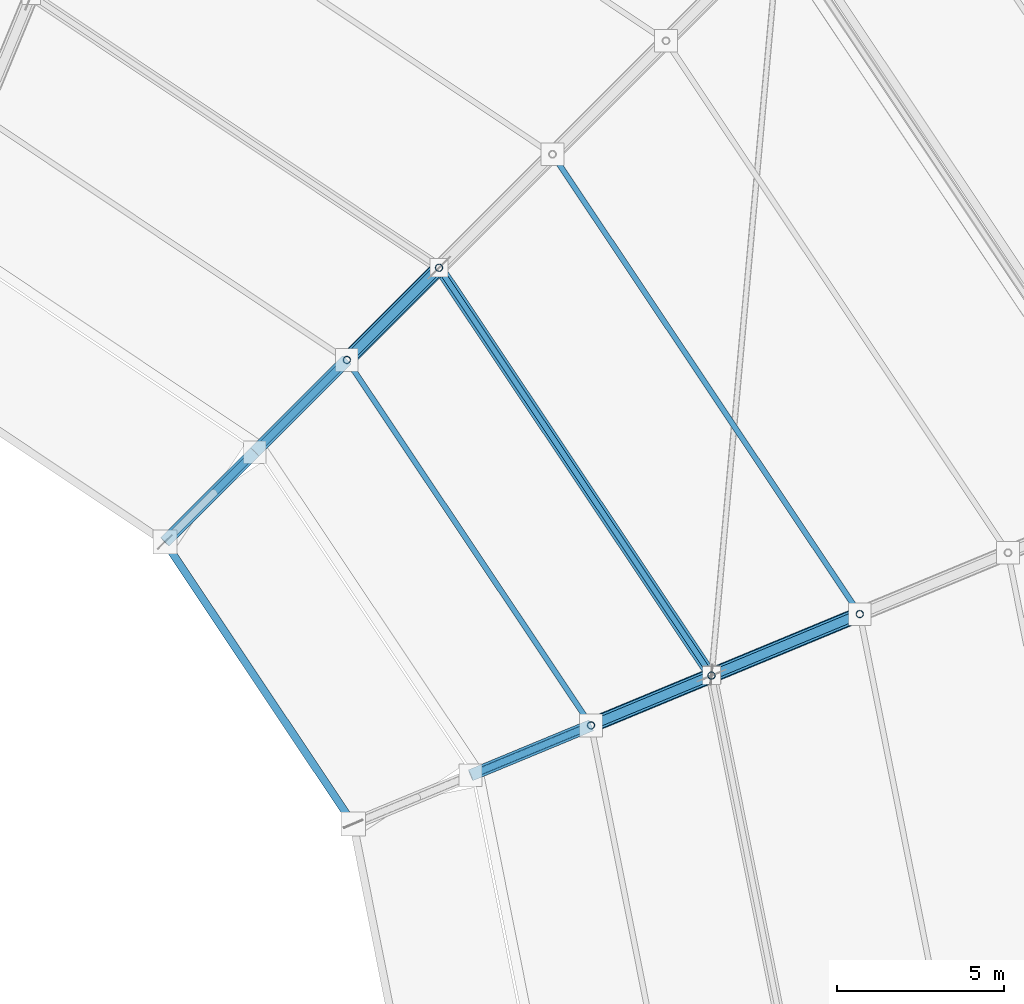
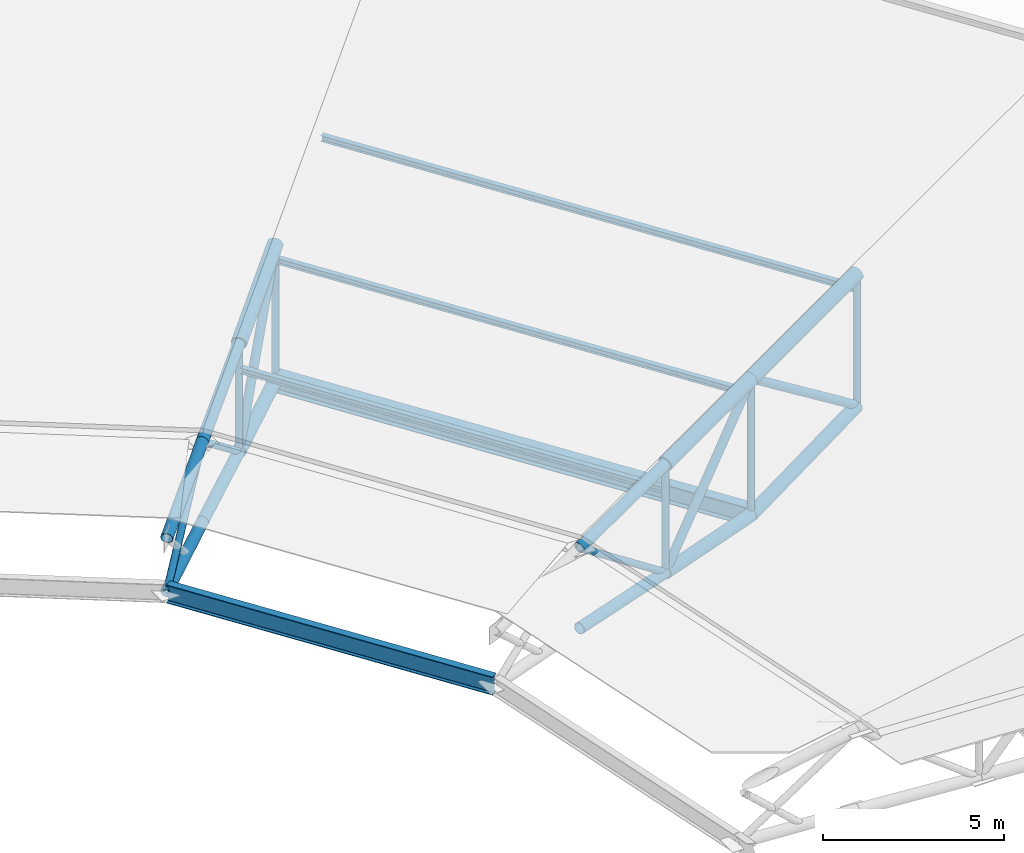
# One storey, part 81 of 146: 26 members, 2 beams.
"""IFC4 building model written with IfcOpenShell, lengths in metres."""

import ifcopenshell
import ifcopenshell.guid

model = None  # the IFC model being written
_history = None  # IfcOwnerHistory: only IFC2X3 demands one
_inside = {}  # id of a spatial element -> (the spatial element, [elements in it])
_under = {}  # id of a project, library or spatial element -> (it, [spatial elements below it])
_declared = {}  # id of a project -> (the project, [libraries it declares])
_typed = {}  # id of a type object -> (the type object, [elements of that type])
_made_of = {}  # id of a material, layer set ... -> (it, [elements and type objects made of it])


def new_model(schema):
    """Start an empty IFC model of exactly this schema.

    Asked for "IFC4X3", IfcOpenShell would pick the latest addendum, in which some entities
    have other attributes; the version numbers below select the first issue.
    IFC2X3 requires an IfcOwnerHistory on every rooted entity: one is made here for all.
    """
    global model, _history
    if schema == "IFC4X3":
        model = ifcopenshell.file(schema_version=(4, 3, 0, 0))
    else:
        model = ifcopenshell.file(schema=schema)
    _inside.clear()
    _under.clear()
    _declared.clear()
    _typed.clear()
    _made_of.clear()
    _history = None
    if model.schema == "IFC2X3":
        org = make("IfcOrganization", Name="unknown")
        user = make(
            "IfcPersonAndOrganization",
            ThePerson=make("IfcPerson", FamilyName="unknown"),
            TheOrganization=org,
        )
        app = make(
            "IfcApplication",
            ApplicationDeveloper=org,
            Version="unknown",
            ApplicationFullName="unknown",
            ApplicationIdentifier="unknown",
        )
        _history = make(
            "IfcOwnerHistory",
            OwningUser=user,
            OwningApplication=app,
            ChangeAction="ADDED",
            CreationDate=0,
        )
    return model


def make(cls, **values):
    """One entity of the class cls with the attributes given. An attribute that is None is left unset."""
    return model.create_entity(
        cls, **{name: value for name, value in values.items() if value is not None}
    )


def rooted(cls, **values):
    """An entity with a GlobalId (a new one), such as an element, a storey or a relation."""
    return make(cls, GlobalId=ifcopenshell.guid.new(), OwnerHistory=_history, **values)


def si_unit(unit_type, name, prefix=None):
    """IfcSIUnit, for example si_unit("LENGTHUNIT", "METRE", prefix="MILLI")."""
    return make("IfcSIUnit", UnitType=unit_type, Prefix=prefix, Name=name)


def assignment(units):
    """IfcUnitAssignment: the units of a project."""
    return None if units is None else make("IfcUnitAssignment", Units=units)


def point(xyz):
    """IfcCartesianPoint."""
    return None if xyz is None else make("IfcCartesianPoint", Coordinates=xyz)


def direction(xyz):
    """IfcDirection."""
    return None if xyz is None else make("IfcDirection", DirectionRatios=xyz)


def frame(location, z_axis=None, x_axis=None):
    """IfcAxis2Placement3D, a coordinate frame: its origin and axes. An axis left out is left unset."""
    return make(
        "IfcAxis2Placement3D",
        Location=point(location),
        Axis=direction(z_axis),
        RefDirection=direction(x_axis),
    )


def frame_2d(location, x_axis=None):
    """IfcAxis2Placement2D, a coordinate frame in the plane: its origin and x axis."""
    return make(
        "IfcAxis2Placement2D", Location=point(location), RefDirection=direction(x_axis)
    )


def origin():
    """The frame at (0, 0, 0) with its axes left unset."""
    return frame((0.0, 0.0, 0.0))


def origin_2d():
    """The frame at (0, 0) in the plane with its x axis left unset."""
    return frame_2d((0.0, 0.0))


def place(relative_to, where):
    """IfcLocalPlacement: puts the frame where relative to a parent placement (None: the world)."""
    return make(
        "IfcLocalPlacement", PlacementRelTo=relative_to, RelativePlacement=where
    )


def context(
    kind, dimensions, precision=None, world=None, true_north=None, identifier=None
):
    """IfcGeometricRepresentationContext, for example the 3D "Model" context."""
    return make(
        "IfcGeometricRepresentationContext",
        ContextIdentifier=identifier,
        ContextType=kind,
        CoordinateSpaceDimension=dimensions,
        Precision=precision,
        WorldCoordinateSystem=world,
        TrueNorth=true_north,
    )


def subcontext(parent, identifier, kind, view, scale=None):
    """IfcGeometricRepresentationSubContext, for example "Body" below "Model"."""
    return make(
        "IfcGeometricRepresentationSubContext",
        ContextIdentifier=identifier,
        ContextType=kind,
        ParentContext=parent,
        TargetScale=scale,
        TargetView=view,
    )


def project(units=None, contexts=None):
    """IfcProject with its units and contexts."""
    return rooted(
        "IfcProject",
        Name="project",
        RepresentationContexts=contexts,
        UnitsInContext=assignment(units),
    )


def spatial(cls, under=None, at=None, **own):
    """A site, building, storey or space (cls), placed at a placement, below another one or the project."""
    s = rooted(cls, ObjectPlacement=at, **own)
    if under is not None:
        _under.setdefault(under.id(), (under, []))[1].append(s)
    return s


def profile(cls, at=None, kind="AREA", **sizes):
    """A parametric profile (cls). Its sizes go by their IFC names, for example OverallWidth=200.0."""
    return make(cls, ProfileType=kind, Position=at, **sizes)


def hollow_circle(**sizes):
    """IfcCircleHollowProfileDef."""
    return profile("IfcCircleHollowProfileDef", **sizes)


def i_section(**sizes):
    """IfcIShapeProfileDef."""
    return profile("IfcIShapeProfileDef", **sizes)


def extrude(swept, where, along, depth):
    """IfcExtrudedAreaSolid: the profile swept, set in the frame where, extruded along a direction by depth."""
    return make(
        "IfcExtrudedAreaSolid",
        SweptArea=swept,
        Position=where,
        ExtrudedDirection=direction(along),
        Depth=depth,
    )


def shape(context_of_items, identifier, shape_type, items):
    """IfcShapeRepresentation: the items that make up one representation, for example the "Body"."""
    return make(
        "IfcShapeRepresentation",
        ContextOfItems=context_of_items,
        RepresentationIdentifier=identifier,
        RepresentationType=shape_type,
        Items=items,
    )


def material(Name=None, Category=None):
    """IfcMaterial."""
    return make("IfcMaterial", Name=Name, Category=Category)


def material_profile(
    of_material, cross_section, Name=None, Category=None, Priority=None
):
    """IfcMaterialProfile: a cross section and its material."""
    return make(
        "IfcMaterialProfile",
        Name=Name,
        Material=of_material,
        Profile=cross_section,
        Priority=Priority,
        Category=Category,
    )


def profile_set(profiles, Name=None, composite=None):
    """IfcMaterialProfileSet."""
    return make(
        "IfcMaterialProfileSet",
        Name=Name,
        MaterialProfiles=profiles,
        CompositeProfile=composite,
    )


def made_of(thing, what):
    """Note that an element or type object is made of a material, layer set ...; save() writes the relation."""
    if what is not None:
        _made_of.setdefault(what.id(), (what, []))[1].append(thing)
    return thing


def type_object(cls, material=None, **own):
    """A type object (cls), such as IfcWallType, which elements share."""
    return made_of(rooted(cls, **own), material)


def element(
    cls,
    number,
    at=None,
    inside=None,
    cuts=None,
    type_object=None,
    material=None,
    context=None,
    identifier="Body",
    shape_type=None,
    held_by="IfcProductDefinitionShape",
    body=None,
    shapes=None,
    **own,
):
    """One element of the class cls, such as IfcWall. Its Tag is "e" and its number.

    at: its placement. inside: the storey or other place that contains it. cuts: it is an
    opening in that element (IfcRelVoidsElement). A single representation is given by context,
    identifier, shape_type and body (its items); several are given by shapes. held_by: the class
    of the entity that holds the representations. save() writes the other relations.
    """
    e = rooted(cls, Tag="e%d" % number, ObjectPlacement=at, **own)
    if body is not None:
        shapes = [shape(context, identifier, shape_type, body)]
    if shapes is not None:
        e.Representation = make(held_by, Representations=shapes)
    if inside is not None:
        _inside.setdefault(inside.id(), (inside, []))[1].append(e)
    if cuts is not None:
        rooted(
            "IfcRelVoidsElement", RelatingBuildingElement=cuts, RelatedOpeningElement=e
        )
    if type_object is not None:
        _typed.setdefault(type_object.id(), (type_object, []))[1].append(e)
    return made_of(e, material)


def aggregate(whole, parts):
    """IfcRelAggregates: a whole, such as a stair, and the parts it consists of."""
    return rooted("IfcRelAggregates", RelatingObject=whole, RelatedObjects=parts)


def save(model, path):
    """Write the relations noted so far, then the file.

    IfcRelAggregates (storeys below a building ...), IfcRelContainedInSpatialStructure (elements
    in a storey), IfcRelDefinesByType, IfcRelAssociatesMaterial and IfcRelDeclares: one each for
    every whole, place, type object, material and project.
    """
    for whole, parts in _under.values():
        aggregate(whole, parts)
    for where, things in _inside.values():
        rooted(
            "IfcRelContainedInSpatialStructure",
            RelatedElements=things,
            RelatingStructure=where,
        )
    for kind, things in _typed.values():
        rooted("IfcRelDefinesByType", RelatedObjects=things, RelatingType=kind)
    for what, things in _made_of.values():
        rooted("IfcRelAssociatesMaterial", RelatedObjects=things, RelatingMaterial=what)
    for by, libraries in _declared.values():
        rooted("IfcRelDeclares", RelatingContext=by, RelatedDefinitions=libraries)
    model.write(path)


model = new_model("IFC4")

# Units and contexts
model_context = context("Model", 3, precision=1e-05, world=origin(), true_north=direction((0.0, 1.0)))
body_context = subcontext(model_context, "Body", "Model", "MODEL_VIEW")
ifc_project = project(units=[si_unit("LENGTHUNIT", "METRE"), si_unit("AREAUNIT", "SQUARE_METRE"), si_unit("VOLUMEUNIT", "CUBIC_METRE"), si_unit("PLANEANGLEUNIT", "RADIAN"), si_unit("MASSUNIT", "GRAM", prefix="KILO")], contexts=[model_context])

# Site, building, storey
site_placement = place(None, origin())
site = spatial("IfcSite", under=ifc_project, at=site_placement, CompositionType="ELEMENT")
building_placement = place(site_placement, origin())
building = spatial("IfcBuilding", under=site, at=building_placement, Name="Candeia Ridge Stadium", CompositionType="ELEMENT")
storey_placement = place(building_placement, frame((0.0, 0.0, 31.800048828125)))
storey = spatial("IfcBuildingStorey", under=building, at=storey_placement, Name="RF", CompositionType="ELEMENT", Elevation=31.800048828125)

# Beams
ifc_material = material(Name="Steel ASTM A572 Grade 50", Category="steel")
ifc_material_profile_1 = material_profile(ifc_material, i_section(OverallWidth=0.324951171875, OverallDepth=0.615966796875, WebThickness=0.013916015625, FlangeThickness=0.021484375, FilletRadius=0.014892578125, at=origin_2d()), Name="W610x174", Category="steel")
ifc_profile_set_1 = profile_set([ifc_material_profile_1], Name="Steel ASTM A572 Grade 50")
beam_type_1 = type_object("IfcBeamType", Name="Roof Compression Ring Beam W610x174", PredefinedType="BEAM", material=ifc_profile_set_1)
beam_1_placement = place(storey_placement, frame((175.715576171875, 109.422119140625, -2.6640625), z_axis=(-0.555568695933, 0.831470639349, 0.0), x_axis=(-0.831470639349, -0.555568695933, 0.0)))
element("IfcBeam", 1, at=beam_1_placement, inside=storey, type_object=beam_type_1, Name="Roof compression ring beam bay 34", PredefinedType="BEAM", context=body_context, shape_type="SweptSolid", body=[
    extrude(i_section(OverallWidth=0.324951171875, OverallDepth=0.615966796875, WebThickness=0.013916015625, FlangeThickness=0.021484375, FilletRadius=0.014892578125, at=origin_2d()), origin(), (0.0, 0.0, 1.0), 14.5908203125),
])
ifc_material_profile_2 = material_profile(ifc_material, i_section(OverallWidth=0.22998046875, OverallDepth=0.616943359375, WebThickness=0.01318359375, FlangeThickness=0.022216796875, FilletRadius=0.014892578125, at=origin_2d()), Name="W610x140", Category="steel")
ifc_profile_set_2 = profile_set([ifc_material_profile_2], Name="Steel ASTM A572 Grade 50")
beam_type_2 = type_object("IfcBeamType", Name="Roof Inner Tension Ring Beam W610x140", PredefinedType="BEAM", material=ifc_profile_set_2)
beam_2_placement = place(storey_placement, frame((164.99853515625, 104.98291015625, -1.9599609375), z_axis=(-0.555556358418, 0.831478882847, 0.0), x_axis=(-0.831478882847, -0.555556358418, 0.0)))
element("IfcBeam", 2, at=beam_2_placement, inside=storey, type_object=beam_type_2, Name="Roof inner tension ring beam bay 34", PredefinedType="BEAM", context=body_context, shape_type="SweptSolid", body=[
    extrude(i_section(OverallWidth=0.22998046875, OverallDepth=0.616943359375, WebThickness=0.01318359375, FlangeThickness=0.022216796875, FilletRadius=0.014892578125, at=origin_2d()), origin(), (0.0, 0.0, 1.0), 10.064697265625),
])

# Members
ifc_material_profile_3 = material_profile(ifc_material, i_section(OverallWidth=0.1650390625, OverallDepth=0.200927734375, WebThickness=0.006103515625, FlangeThickness=0.01025390625, FilletRadius=0.010009765625, at=origin_2d()), Name="W200x35.9", Category="steel")
ifc_profile_set_3 = profile_set([ifc_material_profile_3], Name="Steel ASTM A572 Grade 50")
member_type_1 = type_object("IfcMemberType", Name="Roof Purlin W200x35.9", PredefinedType="PURLIN", material=ifc_profile_set_3)
member_1_placement = place(storey_placement, frame((172.10693359375, 107.93798828125, 0.3544921875), z_axis=(-0.555576353042, 0.831465523002, 0.0), x_axis=(-0.831465523002, -0.555576353042, 0.0)))
element("IfcMember", 3, at=member_1_placement, inside=storey, type_object=member_type_1, Name="Saddle roof steel purlin bay 34-1", PredefinedType="PURLIN", context=body_context, shape_type="SweptSolid", body=[
    extrude(i_section(OverallWidth=0.1650390625, OverallDepth=0.200927734375, WebThickness=0.006103515625, FlangeThickness=0.01025390625, FilletRadius=0.010009765625, at=origin_2d()), origin(), (0.0, 0.0, 1.0), 13.049072265625),
])
member_2_placement = place(storey_placement, frame((175.710205078125, 109.430419921875, 1.416015625), z_axis=(-0.555573746016, 0.831467264983, 0.0), x_axis=(-0.831467264983, -0.555573746016, 0.0)))
element("IfcMember", 4, at=member_2_placement, inside=storey, type_object=member_type_1, Name="Saddle roof steel purlin bay 34-2", PredefinedType="PURLIN", context=body_context, shape_type="SweptSolid", body=[
    extrude(i_section(OverallWidth=0.1650390625, OverallDepth=0.200927734375, WebThickness=0.006103515625, FlangeThickness=0.01025390625, FilletRadius=0.010009765625, at=origin_2d()), origin(), (0.0, 0.0, 1.0), 14.57080078125),
])
member_3_placement = place(storey_placement, frame((180.144775390625, 111.267333984375, 2.303955078125), z_axis=(-0.555577006671, 0.831465086253, 0.0), x_axis=(-0.831465086253, -0.555577006671, 0.0)))
element("IfcMember", 5, at=member_3_placement, inside=storey, type_object=member_type_1, Name="Saddle roof steel purlin bay 34-3", PredefinedType="PURLIN", context=body_context, shape_type="SweptSolid", body=[
    extrude(i_section(OverallWidth=0.1650390625, OverallDepth=0.200927734375, WebThickness=0.006103515625, FlangeThickness=0.01025390625, FilletRadius=0.010009765625, at=origin_2d()), origin(), (0.0, 0.0, 1.0), 16.443603515625),
])
ifc_material_profile_4 = material_profile(ifc_material, hollow_circle(Radius=0.136474609375, WallThickness=0.010009765625, at=origin_2d()), Name="CHS273x10", Category="steel")
ifc_profile_set_4 = profile_set([ifc_material_profile_4], Name="Steel ASTM A572 Grade 50")
member_type_2 = type_object("IfcMemberType", Name="Roof Truss Heavy Web Brace CHS273x10", PredefinedType="BRACE", material=ifc_profile_set_4)
member_4_placement = place(storey_placement, frame((172.134765625, 107.896484375, -2.444091796875), z_axis=(0.61435865685, 0.254477196729, 0.746863305498), x_axis=(-0.382685369162, 0.923878730261, 0.0)))
element("IfcMember", 6, at=member_4_placement, inside=storey, type_object=member_type_2, Name="Roof cantilever truss RT-34 diagonal web 3", PredefinedType="BRACE", context=body_context, shape_type="SweptSolid", body=[
    extrude(hollow_circle(Radius=0.136474609375, WallThickness=0.010009765625, at=origin_2d()), origin(), (0.0, 0.0, 1.0), 5.86474609375),
])
member_5_placement = place(storey_placement, frame((175.73779296875, 109.388916015625, 1.93603515625), z_axis=(0.740679890153, 0.306791934683, -0.597722351211), x_axis=(-0.382675211785, 0.923882937544, 0.0)))
element("IfcMember", 7, at=member_5_placement, inside=storey, type_object=member_type_2, Name="Roof cantilever truss RT-34 diagonal web 4", PredefinedType="BRACE", context=body_context, shape_type="SweptSolid", body=[
    extrude(hollow_circle(Radius=0.136474609375, WallThickness=0.010009765625, at=origin_2d()), origin(), (0.0, 0.0, 1.0), 5.987548828125),
])
member_6_placement = place(storey_placement, frame((164.82958984375, 118.82958984375, -2.444091796875), z_axis=(0.470203340341, 0.470203340341, 0.746871901643), x_axis=(-0.707106781187, 0.707106781187, 0.0)))
element("IfcMember", 8, at=member_6_placement, inside=storey, type_object=member_type_2, Name="Roof cantilever truss RT-35 diagonal web 3", PredefinedType="BRACE", context=body_context, shape_type="SweptSolid", body=[
    extrude(hollow_circle(Radius=0.136474609375, WallThickness=0.010009765625, at=origin_2d()), origin(), (0.0, 0.0, 1.0), 5.86474609375),
])
ifc_material_profile_5 = material_profile(ifc_material, hollow_circle(Radius=0.109619140625, WallThickness=0.010009765625, at=origin_2d()), Name="CHS219x10", Category="steel")
ifc_profile_set_5 = profile_set([ifc_material_profile_5], Name="Steel ASTM A572 Grade 50")
member_type_3 = type_object("IfcMemberType", Name="Roof Truss Inner Web Brace CHS219x10", PredefinedType="BRACE", material=ifc_profile_set_5)
member_7_placement = place(storey_placement, frame((168.531494140625, 106.404052734375, 0.54296875), z_axis=(0.73347834193, 0.303797893097, -0.608043059388), x_axis=(-0.382663237128, 0.923887897394, 0.0)))
element("IfcMember", 9, at=member_7_placement, inside=storey, type_object=member_type_3, Name="Roof cantilever truss RT-34 diagonal web 2", PredefinedType="BRACE", context=body_context, shape_type="SweptSolid", body=[
    extrude(hollow_circle(Radius=0.109619140625, WallThickness=0.010009765625, at=origin_2d()), origin(), (0.0, 0.0, 1.0), 4.91259765625),
])
member_8_placement = place(storey_placement, frame((172.134765625, 107.896484375, -2.444091796875), z_axis=(0.0, 0.0, 1.0), x_axis=(1.0, 0.0, 0.0)))
element("IfcMember", 10, at=member_8_placement, inside=storey, type_object=member_type_3, Name="Roof cantilever truss RT-34 vertical post 2", PredefinedType="BRACE", context=body_context, shape_type="SweptSolid", body=[
    extrude(hollow_circle(Radius=0.109619140625, WallThickness=0.010009765625, at=origin_2d()), origin(), (0.0, 0.0, 1.0), 3.658447265625),
])
member_9_placement = place(storey_placement, frame((175.73779296875, 109.388916015625, -2.6640625), z_axis=(0.0, 0.0, 1.0), x_axis=(1.0, 0.0, 0.0)))
element("IfcMember", 11, at=member_9_placement, inside=storey, type_object=member_type_3, Name="Roof cantilever truss RT-34 vertical post 3", PredefinedType="BRACE", context=body_context, shape_type="SweptSolid", body=[
    extrude(hollow_circle(Radius=0.109619140625, WallThickness=0.010009765625, at=origin_2d()), origin(), (0.0, 0.0, 1.0), 4.60009765625),
])
member_10_placement = place(storey_placement, frame((180.172607421875, 111.225830078125, -1.642822265625), z_axis=(0.0, 0.0, 1.0), x_axis=(1.0, 0.0, 0.0)))
element("IfcMember", 12, at=member_10_placement, inside=storey, type_object=member_type_3, Name="Roof cantilever truss RT-34 vertical post 4", PredefinedType="BRACE", context=body_context, shape_type="SweptSolid", body=[
    extrude(hollow_circle(Radius=0.109619140625, WallThickness=0.010009765625, at=origin_2d()), origin(), (0.0, 0.0, 1.0), 4.466796875),
])
member_11_placement = place(storey_placement, frame((159.384765625, 113.384765625, -1.9599609375), z_axis=(0.590520351297, 0.590520351297, 0.550064931992), x_axis=(-0.707106781187, 0.707106781187, 0.0)))
element("IfcMember", 13, at=member_11_placement, inside=storey, type_object=member_type_3, Name="Roof cantilever truss RT-35 diagonal web 1", PredefinedType="BRACE", context=body_context, shape_type="SweptSolid", body=[
    extrude(hollow_circle(Radius=0.109619140625, WallThickness=0.010009765625, at=origin_2d()), origin(), (0.0, 0.0, 1.0), 4.55029296875),
])
member_12_placement = place(storey_placement, frame((162.07177734375, 116.07177734375, 0.54296875), z_axis=(0.561375904799, 0.561375904799, -0.608041270822), x_axis=(-0.707106781187, 0.707106781187, 0.0)))
element("IfcMember", 14, at=member_12_placement, inside=storey, type_object=member_type_3, Name="Roof cantilever truss RT-35 diagonal web 2", PredefinedType="BRACE", context=body_context, shape_type="SweptSolid", body=[
    extrude(hollow_circle(Radius=0.109619140625, WallThickness=0.010009765625, at=origin_2d()), origin(), (0.0, 0.0, 1.0), 4.91259765625),
])
member_13_placement = place(storey_placement, frame((164.82958984375, 118.82958984375, -2.444091796875), z_axis=(0.0, 0.0, 1.0), x_axis=(1.0, 0.0, 0.0)))
element("IfcMember", 15, at=member_13_placement, inside=storey, type_object=member_type_3, Name="Roof cantilever truss RT-35 vertical post 2", PredefinedType="BRACE", context=body_context, shape_type="SweptSolid", body=[
    extrude(hollow_circle(Radius=0.109619140625, WallThickness=0.010009765625, at=origin_2d()), origin(), (0.0, 0.0, 1.0), 3.658447265625),
])
member_14_placement = place(storey_placement, frame((167.587158203125, 121.587158203125, -2.6640625), z_axis=(0.0, 0.0, 1.0), x_axis=(1.0, 0.0, 0.0)))
element("IfcMember", 16, at=member_14_placement, inside=storey, type_object=member_type_3, Name="Roof cantilever truss RT-35 vertical post 3", PredefinedType="BRACE", context=body_context, shape_type="SweptSolid", body=[
    extrude(hollow_circle(Radius=0.109619140625, WallThickness=0.010009765625, at=origin_2d()), origin(), (0.0, 0.0, 1.0), 4.60009765625),
])
ifc_material_profile_6 = material_profile(ifc_material, hollow_circle(Radius=0.228515625, WallThickness=0.02001953125, at=origin_2d()), Name="CHS457x20", Category="steel")
ifc_profile_set_6 = profile_set([ifc_material_profile_6], Name="Steel ASTM A572 Grade 50")
member_type_4 = type_object("IfcMemberType", Name="Roof Truss Main Chord CHS457x20", PredefinedType="CHORD", material=ifc_profile_set_6)
member_15_placement = place(storey_placement, frame((172.134765625, 107.896484375, 1.21435546875), z_axis=(0.908455116829, 0.376296661416, 0.181961873245), x_axis=(-0.382685369162, 0.923878730261, 0.0)))
element("IfcMember", 17, at=member_15_placement, inside=storey, type_object=member_type_4, Name="Roof cantilever truss RT-34 top chord 3", PredefinedType="CHORD", context=body_context, shape_type="SweptSolid", body=[
    extrude(hollow_circle(Radius=0.228515625, WallThickness=0.02001953125, at=origin_2d()), origin(), (0.0, 0.0, 1.0), 3.966064453125),
])
member_16_placement = place(storey_placement, frame((175.73779296875, 109.388916015625, 1.93603515625), z_axis=(0.908470819314, 0.376291464053, 0.181894212488), x_axis=(-0.382675211785, 0.923882937544, 0.0)))
element("IfcMember", 18, at=member_16_placement, inside=storey, type_object=member_type_4, Name="Roof cantilever truss RT-34 top chord 4", PredefinedType="CHORD", context=body_context, shape_type="SweptSolid", body=[
    extrude(hollow_circle(Radius=0.228515625, WallThickness=0.02001953125, at=origin_2d()), origin(), (0.0, 0.0, 1.0), 4.881591796875),
])
member_17_placement = place(storey_placement, frame((164.82958984375, 118.82958984375, 1.21435546875), z_axis=(0.695301449045, 0.695301449045, 0.181966452712), x_axis=(-0.707106781187, 0.707106781187, 0.0)))
element("IfcMember", 19, at=member_17_placement, inside=storey, type_object=member_type_4, Name="Roof cantilever truss RT-35 top chord 3", PredefinedType="CHORD", context=body_context, shape_type="SweptSolid", body=[
    extrude(hollow_circle(Radius=0.228515625, WallThickness=0.02001953125, at=origin_2d()), origin(), (0.0, 0.0, 1.0), 3.966064453125),
])
ifc_material_profile_7 = material_profile(ifc_material, hollow_circle(Radius=0.202880859375, WallThickness=0.01611328125, at=origin_2d()), Name="CHS406x16", Category="steel")
ifc_profile_set_7 = profile_set([ifc_material_profile_7], Name="Steel ASTM A572 Grade 50")
member_type_5 = type_object("IfcMemberType", Name="Roof Truss Outer Chord CHS406x16", PredefinedType="CHORD", material=ifc_profile_set_7)
member_18_placement = place(storey_placement, frame((172.134765625, 107.896484375, -2.444091796875), z_axis=(0.922412592682, 0.382078071491, -0.056314795095), x_axis=(-0.382685369162, 0.923878730261, 0.0)))
element("IfcMember", 20, at=member_18_placement, inside=storey, type_object=member_type_5, Name="Roof cantilever truss RT-34 bottom chord 3", PredefinedType="CHORD", context=body_context, shape_type="SweptSolid", body=[
    extrude(hollow_circle(Radius=0.202880859375, WallThickness=0.01611328125, at=origin_2d()), origin(), (0.0, 0.0, 1.0), 3.906005859375),
])
member_19_placement = place(storey_placement, frame((175.73779296875, 109.388916015625, -2.6640625), z_axis=(0.903658328422, 0.374298115224, 0.208092639019), x_axis=(-0.382675211785, 0.923882937544, 0.0)))
element("IfcMember", 21, at=member_19_placement, inside=storey, type_object=member_type_5, Name="Roof cantilever truss RT-34 bottom chord 4", PredefinedType="CHORD", context=body_context, shape_type="SweptSolid", body=[
    extrude(hollow_circle(Radius=0.202880859375, WallThickness=0.01611328125, at=origin_2d()), origin(), (0.0, 0.0, 1.0), 4.90771484375),
])
member_20_placement = place(storey_placement, frame((164.82958984375, 118.82958984375, -2.444091796875), z_axis=(0.705984588812, 0.705984588812, -0.056316256266), x_axis=(-0.707106781187, 0.707106781187, 0.0)))
element("IfcMember", 22, at=member_20_placement, inside=storey, type_object=member_type_5, Name="Roof cantilever truss RT-35 bottom chord 3", PredefinedType="CHORD", context=body_context, shape_type="SweptSolid", body=[
    extrude(hollow_circle(Radius=0.202880859375, WallThickness=0.01611328125, at=origin_2d()), origin(), (0.0, 0.0, 1.0), 3.906005859375),
])
ifc_material_profile_8 = material_profile(ifc_material, hollow_circle(Radius=0.177734375, WallThickness=0.01416015625, at=origin_2d()), Name="CHS355x14", Category="steel")
ifc_profile_set_8 = profile_set([ifc_material_profile_8], Name="Steel ASTM A572 Grade 50")
member_type_6 = type_object("IfcMemberType", Name="Roof Truss Tip Chord CHS355x14", PredefinedType="CHORD", material=ifc_profile_set_8)
member_21_placement = place(storey_placement, frame((168.531494140625, 106.404052734375, 0.54296875), z_axis=(0.91049558306, 0.377116301866, 0.169649898599), x_axis=(-0.382663237128, 0.923887897394, 0.0)))
element("IfcMember", 23, at=member_21_placement, inside=storey, type_object=member_type_6, Name="Roof cantilever truss RT-34 top chord 2", PredefinedType="CHORD", context=body_context, shape_type="SweptSolid", body=[
    extrude(hollow_circle(Radius=0.177734375, WallThickness=0.01416015625, at=origin_2d()), origin(), (0.0, 0.0, 1.0), 3.95751953125),
])
member_22_placement = place(storey_placement, frame((168.531494140625, 106.404052734375, -2.17431640625), z_axis=(0.921685561894, 0.381751056295, -0.069006202717), x_axis=(-0.382663237128, 0.923887897394, 0.0)))
element("IfcMember", 24, at=member_22_placement, inside=storey, type_object=member_type_6, Name="Roof cantilever truss RT-34 bottom chord 2", PredefinedType="CHORD", context=body_context, shape_type="SweptSolid", body=[
    extrude(hollow_circle(Radius=0.177734375, WallThickness=0.01416015625, at=origin_2d()), origin(), (0.0, 0.0, 1.0), 3.909423828125),
])
member_23_placement = place(storey_placement, frame((159.384765625, 113.384765625, -0.16015625), z_axis=(0.69530437574, 0.69530437574, 0.181944085238), x_axis=(-0.707106781187, 0.707106781187, 0.0)))
element("IfcMember", 25, at=member_23_placement, inside=storey, type_object=member_type_6, Name="Roof cantilever truss RT-35 top chord 1", PredefinedType="CHORD", context=body_context, shape_type="SweptSolid", body=[
    extrude(hollow_circle(Radius=0.177734375, WallThickness=0.01416015625, at=origin_2d()), origin(), (0.0, 0.0, 1.0), 3.864501953125),
])
member_24_placement = place(storey_placement, frame((159.384765625, 113.384765625, -1.9599609375), z_axis=(0.70598445243, 0.70598445243, -0.056319675562), x_axis=(-0.707106781187, 0.707106781187, 0.0)))
element("IfcMember", 26, at=member_24_placement, inside=storey, type_object=member_type_6, Name="Roof cantilever truss RT-35 bottom chord 1", PredefinedType="CHORD", context=body_context, shape_type="SweptSolid", body=[
    extrude(hollow_circle(Radius=0.177734375, WallThickness=0.01416015625, at=origin_2d()), origin(), (0.0, 0.0, 1.0), 3.80615234375),
])
member_25_placement = place(storey_placement, frame((162.07177734375, 116.07177734375, 0.54296875), z_axis=(0.696856933959, 0.696856933959, 0.169649129638), x_axis=(-0.707106781187, 0.707106781187, 0.0)))
element("IfcMember", 27, at=member_25_placement, inside=storey, type_object=member_type_6, Name="Roof cantilever truss RT-35 top chord 2", PredefinedType="CHORD", context=body_context, shape_type="SweptSolid", body=[
    extrude(hollow_circle(Radius=0.177734375, WallThickness=0.01416015625, at=origin_2d()), origin(), (0.0, 0.0, 1.0), 3.95751953125),
])
member_26_placement = place(storey_placement, frame((162.07177734375, 116.07177734375, -2.17431640625), z_axis=(0.705421217508, 0.705421217508, -0.069005882201), x_axis=(-0.707106781187, 0.707106781187, 0.0)))
element("IfcMember", 28, at=member_26_placement, inside=storey, type_object=member_type_6, Name="Roof cantilever truss RT-35 bottom chord 2", PredefinedType="CHORD", context=body_context, shape_type="SweptSolid", body=[
    extrude(hollow_circle(Radius=0.177734375, WallThickness=0.01416015625, at=origin_2d()), origin(), (0.0, 0.0, 1.0), 3.909423828125),
])

save(model, "model.ifc")
